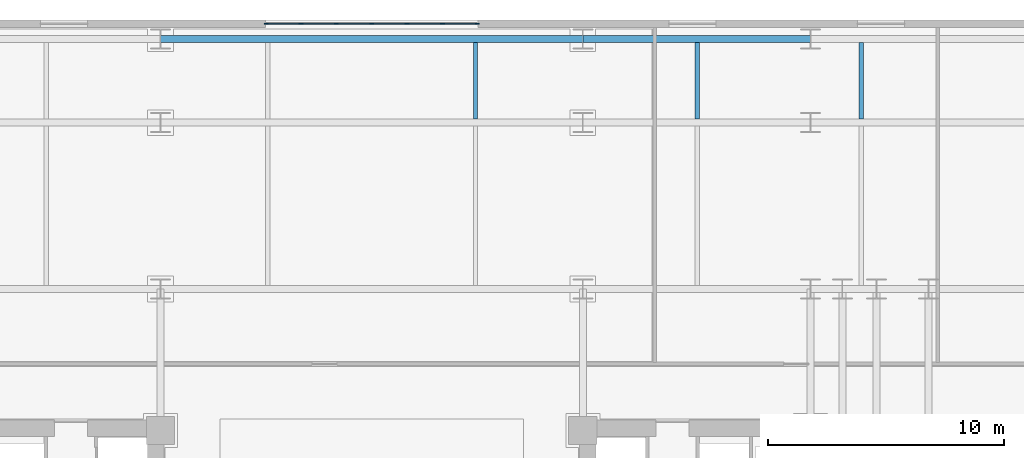
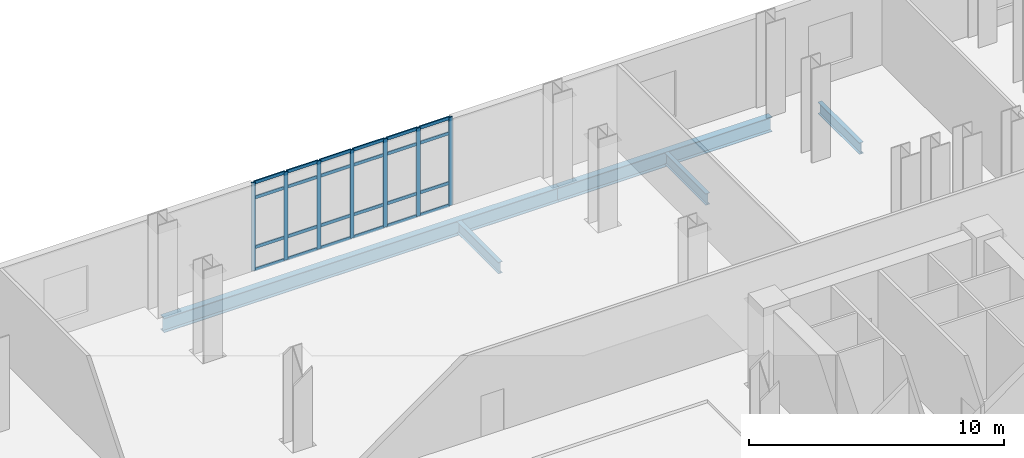
# One storey, part 5 of 15: 31 members, 5 beams, 1 element without a shape of its own.
"""IFC4 building model written with IfcOpenShell, lengths in metres."""

from ifc_helpers import new_model, si_unit, direction, frame, origin, origin_2d, place, context, subcontext, project, spatial, rectangle, i_section, extrude, material, layer, layer_set, material_profile, profile_set, type_object, element, aggregate, save


model = new_model("IFC4")

# Units and contexts
model_context = context("Model", 3, precision=1e-05, world=origin(), true_north=direction((0.0, 1.0)))
body_context = subcontext(model_context, "Body", "Model", "MODEL_VIEW")
ifc_project = project(units=[si_unit("LENGTHUNIT", "METRE"), si_unit("AREAUNIT", "SQUARE_METRE"), si_unit("VOLUMEUNIT", "CUBIC_METRE"), si_unit("PLANEANGLEUNIT", "RADIAN"), si_unit("MASSUNIT", "GRAM", prefix="KILO")], contexts=[model_context])

# Site, building, storey
site_placement = place(None, origin())
site = spatial("IfcSite", under=ifc_project, at=site_placement, CompositionType="ELEMENT")
building_placement = place(site_placement, origin())
building = spatial("IfcBuilding", under=site, at=building_placement, Name="Velakula Bourse", CompositionType="ELEMENT")
storey_placement = place(building_placement, frame((0.0, 0.0, 14.10009765625)))
storey = spatial("IfcBuildingStorey", under=building, at=storey_placement, Name="L03", CompositionType="ELEMENT", Elevation=14.10009765625)

# Beams
ifc_material_1 = material(Name="Steel IS 2062 Grade 350 (E350)", Category="steel")
ifc_material_profile_1 = material_profile(ifc_material_1, i_section(OverallWidth=0.300048828125, OverallDepth=0.699951171875, WebThickness=0.01611328125, FlangeThickness=0.02490234375, at=origin_2d()), Name="Steel IS 2062 Grade 350 (E350)")
ifc_profile_set_1 = profile_set([ifc_material_profile_1], Name="Steel IS 2062 Grade 350 (E350)")
beam_type_1 = type_object("IfcBeamType", Name="BM-POD-700", PredefinedType="BEAM", material=ifc_profile_set_1)
beam_1_placement = place(storey_placement, frame((-8.949951171875, 25.199951171875, -0.60009765625), z_axis=(1.0, 0.0, 0.0), x_axis=(0.0, 1.0, 0.0)))
element("IfcBeam", 1, at=beam_1_placement, inside=storey, type_object=beam_type_1, Name="L03 Podium E-W Girder 60", PredefinedType="BEAM", context=body_context, shape_type="SweptSolid", body=[
    extrude(i_section(OverallWidth=0.300048828125, OverallDepth=0.699951171875, WebThickness=0.01611328125, FlangeThickness=0.02490234375, at=origin_2d()), origin(), (0.0, 0.0, 1.0), 17.89990234375),
])
beam_2_placement = place(storey_placement, frame((8.949951171875, 25.199951171875, -0.60009765625), z_axis=(1.0, 0.0, 0.0), x_axis=(0.0, 1.0, 0.0)))
element("IfcBeam", 2, at=beam_2_placement, inside=storey, type_object=beam_type_1, Name="L03 Podium E-W Girder 61", PredefinedType="BEAM", context=body_context, shape_type="SweptSolid", body=[
    extrude(i_section(OverallWidth=0.300048828125, OverallDepth=0.699951171875, WebThickness=0.01611328125, FlangeThickness=0.02490234375, at=origin_2d()), origin(), (0.0, 0.0, 1.0), 9.650146484375),
])
ifc_material_profile_2 = material_profile(ifc_material_1, i_section(OverallWidth=0.18994140625, OverallDepth=0.550048828125, WebThickness=0.01123046875, FlangeThickness=0.019287109375, at=origin_2d()), Name="Steel IS 2062 Grade 350 (E350)")
ifc_profile_set_2 = profile_set([ifc_material_profile_2], Name="Steel IS 2062 Grade 350 (E350)")
beam_type_2 = type_object("IfcBeamType", Name="JST-POD-550", PredefinedType="JOIST", material=ifc_profile_set_2)
for number, where, z_axis, x_axis, name in (
    (3, (4.39990234375, 21.800048828125, -0.525146484375), (0.0, 1.0, 0.0), (-1.0, 0.0, 0.0), "L03 Station Podium Floor Joist 20"),
    (4, (13.800048828125, 21.800048828125, -0.525146484375), (0.0, 1.0, 0.0), (-1.0, 0.0, 0.0), "L03 Station Podium Floor Joist 24"),
    (5, (20.75, 21.800048828125, -0.525146484375), (0.0, 1.0, 0.0), (-1.0, 0.0, 0.0), "L03 Station Podium Floor Joist 28"),
):
    element("IfcBeam", number, at=place(storey_placement, frame(where, z_axis=z_axis, x_axis=x_axis)), inside=storey, type_object=beam_type_2, Name=name, PredefinedType="JOIST", context=body_context, shape_type="SweptSolid", body=[
        extrude(i_section(OverallWidth=0.18994140625, OverallDepth=0.550048828125, WebThickness=0.01123046875, FlangeThickness=0.019287109375, at=origin_2d()), origin(), (0.0, 0.0, 1.0), 3.25),
    ])

# Curtain wall, members
ifc_material_2 = material(Name="Anodised bronze architectural aluminium", Category="aluminium")
ifc_layer = layer(ifc_material_2, 0.179931640625, Name="Anodised bronze architectural aluminium", Category="aluminium")
ifc_layer_set = layer_set([ifc_layer], Name="Anodised bronze architectural aluminium")
curtain_wall_type = type_object("IfcCurtainWallType", Name="CW-PD1", PredefinedType="NOTDEFINED", material=ifc_layer_set)
curtain_wall_placement = place(storey_placement, origin())
curtain_wall = element("IfcCurtainWall", 6, at=curtain_wall_placement, inside=storey, type_object=curtain_wall_type, Name="L03 North Station Galleria Curtain Wall 2", PredefinedType="NOTDEFINED")
ifc_material_profile_3 = material_profile(ifc_material_2, rectangle(XDim=0.06005859375, YDim=0.179931640625, at=origin_2d()), Name="Anodised bronze architectural aluminium")
ifc_profile_set_3 = profile_set([ifc_material_profile_3], Name="Anodised bronze architectural aluminium")
member_type_1 = type_object("IfcMemberType", Name="MUL-CW-PD1", PredefinedType="MULLION", material=ifc_profile_set_3)
member_1_placement = place(storey_placement, frame((-4.469970703125, 25.840087890625, 0.0), z_axis=(0.0, 0.0, 1.0), x_axis=(0.0, 1.0, 0.0)))
member_1 = element("IfcMember", 7, at=member_1_placement, type_object=member_type_1, Name="CW-PD1 mullion 1", PredefinedType="MULLION", context=body_context, shape_type="SweptSolid", body=[
    extrude(rectangle(XDim=0.06005859375, YDim=0.179931640625, at=origin_2d()), origin(), (0.0, 0.0, 1.0), 4.22998046875),
])
member_2_placement = place(storey_placement, frame((-3.0, 25.840087890625, 0.0), z_axis=(0.0, 0.0, 1.0), x_axis=(0.0, 1.0, 0.0)))
member_2 = element("IfcMember", 8, at=member_2_placement, type_object=member_type_1, Name="CW-PD1 mullion 2", PredefinedType="MULLION", context=body_context, shape_type="SweptSolid", body=[
    extrude(rectangle(XDim=0.06005859375, YDim=0.179931640625, at=origin_2d()), origin(), (0.0, 0.0, 1.0), 4.22998046875),
])
member_3_placement = place(storey_placement, frame((-1.5, 25.840087890625, 0.0), z_axis=(0.0, 0.0, 1.0), x_axis=(0.0, 1.0, 0.0)))
member_3 = element("IfcMember", 9, at=member_3_placement, type_object=member_type_1, Name="CW-PD1 mullion 3", PredefinedType="MULLION", context=body_context, shape_type="SweptSolid", body=[
    extrude(rectangle(XDim=0.06005859375, YDim=0.179931640625, at=origin_2d()), origin(), (0.0, 0.0, 1.0), 4.22998046875),
])
member_4_placement = place(storey_placement, frame((0.0, 25.840087890625, 0.0), z_axis=(0.0, 0.0, 1.0), x_axis=(0.0, 1.0, 0.0)))
member_4 = element("IfcMember", 10, at=member_4_placement, type_object=member_type_1, Name="CW-PD1 mullion 4", PredefinedType="MULLION", context=body_context, shape_type="SweptSolid", body=[
    extrude(rectangle(XDim=0.06005859375, YDim=0.179931640625, at=origin_2d()), origin(), (0.0, 0.0, 1.0), 4.22998046875),
])
member_5_placement = place(storey_placement, frame((1.5, 25.840087890625, 0.0), z_axis=(0.0, 0.0, 1.0), x_axis=(0.0, 1.0, 0.0)))
member_5 = element("IfcMember", 11, at=member_5_placement, type_object=member_type_1, Name="CW-PD1 mullion 5", PredefinedType="MULLION", context=body_context, shape_type="SweptSolid", body=[
    extrude(rectangle(XDim=0.06005859375, YDim=0.179931640625, at=origin_2d()), origin(), (0.0, 0.0, 1.0), 4.22998046875),
])
member_6_placement = place(storey_placement, frame((3.0, 25.840087890625, 0.0), z_axis=(0.0, 0.0, 1.0), x_axis=(0.0, 1.0, 0.0)))
member_6 = element("IfcMember", 12, at=member_6_placement, type_object=member_type_1, Name="CW-PD1 mullion 6", PredefinedType="MULLION", context=body_context, shape_type="SweptSolid", body=[
    extrude(rectangle(XDim=0.06005859375, YDim=0.179931640625, at=origin_2d()), origin(), (0.0, 0.0, 1.0), 4.22998046875),
])
member_7_placement = place(storey_placement, frame((4.469970703125, 25.840087890625, 0.0), z_axis=(0.0, 0.0, 1.0), x_axis=(0.0, 1.0, 0.0)))
member_7 = element("IfcMember", 13, at=member_7_placement, type_object=member_type_1, Name="CW-PD1 mullion 7", PredefinedType="MULLION", context=body_context, shape_type="SweptSolid", body=[
    extrude(rectangle(XDim=0.06005859375, YDim=0.179931640625, at=origin_2d()), origin(), (0.0, 0.0, 1.0), 4.22998046875),
])
ifc_material_profile_4 = material_profile(ifc_material_2, rectangle(XDim=0.06005859375, YDim=0.14990234375, at=origin_2d()), Name="Anodised bronze architectural aluminium")
ifc_profile_set_4 = profile_set([ifc_material_profile_4], Name="Anodised bronze architectural aluminium")
member_type_2 = type_object("IfcMemberType", Name="TRN-CW-PD1", PredefinedType="USERDEFINED", material=ifc_profile_set_4)
member_8_placement = place(storey_placement, frame((-4.43994140625, 25.840087890625, 0.02978515625), z_axis=(1.0, 0.0, 0.0), x_axis=(0.0, 1.0, 0.0)))
member_8 = element("IfcMember", 14, at=member_8_placement, type_object=member_type_2, Name="CW-PD1 transom 1.1", ObjectType="TRANSOM", PredefinedType="USERDEFINED", context=body_context, shape_type="SweptSolid", body=[
    extrude(rectangle(XDim=0.06005859375, YDim=0.14990234375, at=origin_2d()), origin(), (0.0, 0.0, 1.0), 1.409912109375),
])
member_9_placement = place(storey_placement, frame((-4.43994140625, 25.840087890625, 1.099853515625), z_axis=(1.0, 0.0, 0.0), x_axis=(0.0, 1.0, 0.0)))
member_9 = element("IfcMember", 15, at=member_9_placement, type_object=member_type_2, Name="CW-PD1 transom 1.2", ObjectType="TRANSOM", PredefinedType="USERDEFINED", context=body_context, shape_type="SweptSolid", body=[
    extrude(rectangle(XDim=0.06005859375, YDim=0.14990234375, at=origin_2d()), origin(), (0.0, 0.0, 1.0), 1.409912109375),
])
member_10_placement = place(storey_placement, frame((-4.43994140625, 25.840087890625, 3.47998046875), z_axis=(1.0, 0.0, 0.0), x_axis=(0.0, 1.0, 0.0)))
member_10 = element("IfcMember", 16, at=member_10_placement, type_object=member_type_2, Name="CW-PD1 transom 1.3", ObjectType="TRANSOM", PredefinedType="USERDEFINED", context=body_context, shape_type="SweptSolid", body=[
    extrude(rectangle(XDim=0.06005859375, YDim=0.14990234375, at=origin_2d()), origin(), (0.0, 0.0, 1.0), 1.409912109375),
])
member_11_placement = place(storey_placement, frame((-4.43994140625, 25.840087890625, 4.199951171875), z_axis=(1.0, 0.0, 0.0), x_axis=(0.0, 1.0, 0.0)))
member_11 = element("IfcMember", 17, at=member_11_placement, type_object=member_type_2, Name="CW-PD1 transom 1.4", ObjectType="TRANSOM", PredefinedType="USERDEFINED", context=body_context, shape_type="SweptSolid", body=[
    extrude(rectangle(XDim=0.06005859375, YDim=0.14990234375, at=origin_2d()), origin(), (0.0, 0.0, 1.0), 1.409912109375),
])
member_12_placement = place(storey_placement, frame((-2.969970703125, 25.840087890625, 0.02978515625), z_axis=(1.0, 0.0, 0.0), x_axis=(0.0, 1.0, 0.0)))
member_12 = element("IfcMember", 18, at=member_12_placement, type_object=member_type_2, Name="CW-PD1 transom 2.1", ObjectType="TRANSOM", PredefinedType="USERDEFINED", context=body_context, shape_type="SweptSolid", body=[
    extrude(rectangle(XDim=0.06005859375, YDim=0.14990234375, at=origin_2d()), origin(), (0.0, 0.0, 1.0), 1.43994140625),
])
member_13_placement = place(storey_placement, frame((-2.969970703125, 25.840087890625, 1.099853515625), z_axis=(1.0, 0.0, 0.0), x_axis=(0.0, 1.0, 0.0)))
member_13 = element("IfcMember", 19, at=member_13_placement, type_object=member_type_2, Name="CW-PD1 transom 2.2", ObjectType="TRANSOM", PredefinedType="USERDEFINED", context=body_context, shape_type="SweptSolid", body=[
    extrude(rectangle(XDim=0.06005859375, YDim=0.14990234375, at=origin_2d()), origin(), (0.0, 0.0, 1.0), 1.43994140625),
])
member_14_placement = place(storey_placement, frame((-2.969970703125, 25.840087890625, 3.47998046875), z_axis=(1.0, 0.0, 0.0), x_axis=(0.0, 1.0, 0.0)))
member_14 = element("IfcMember", 20, at=member_14_placement, type_object=member_type_2, Name="CW-PD1 transom 2.3", ObjectType="TRANSOM", PredefinedType="USERDEFINED", context=body_context, shape_type="SweptSolid", body=[
    extrude(rectangle(XDim=0.06005859375, YDim=0.14990234375, at=origin_2d()), origin(), (0.0, 0.0, 1.0), 1.43994140625),
])
member_15_placement = place(storey_placement, frame((-2.969970703125, 25.840087890625, 4.199951171875), z_axis=(1.0, 0.0, 0.0), x_axis=(0.0, 1.0, 0.0)))
member_15 = element("IfcMember", 21, at=member_15_placement, type_object=member_type_2, Name="CW-PD1 transom 2.4", ObjectType="TRANSOM", PredefinedType="USERDEFINED", context=body_context, shape_type="SweptSolid", body=[
    extrude(rectangle(XDim=0.06005859375, YDim=0.14990234375, at=origin_2d()), origin(), (0.0, 0.0, 1.0), 1.43994140625),
])
member_16_placement = place(storey_placement, frame((-1.469970703125, 25.840087890625, 0.02978515625), z_axis=(1.0, 0.0, 0.0), x_axis=(0.0, 1.0, 0.0)))
member_16 = element("IfcMember", 22, at=member_16_placement, type_object=member_type_2, Name="CW-PD1 transom 3.1", ObjectType="TRANSOM", PredefinedType="USERDEFINED", context=body_context, shape_type="SweptSolid", body=[
    extrude(rectangle(XDim=0.06005859375, YDim=0.14990234375, at=origin_2d()), origin(), (0.0, 0.0, 1.0), 1.43994140625),
])
member_17_placement = place(storey_placement, frame((-1.469970703125, 25.840087890625, 1.099853515625), z_axis=(1.0, 0.0, 0.0), x_axis=(0.0, 1.0, 0.0)))
member_17 = element("IfcMember", 23, at=member_17_placement, type_object=member_type_2, Name="CW-PD1 transom 3.2", ObjectType="TRANSOM", PredefinedType="USERDEFINED", context=body_context, shape_type="SweptSolid", body=[
    extrude(rectangle(XDim=0.06005859375, YDim=0.14990234375, at=origin_2d()), origin(), (0.0, 0.0, 1.0), 1.43994140625),
])
member_18_placement = place(storey_placement, frame((-1.469970703125, 25.840087890625, 3.47998046875), z_axis=(1.0, 0.0, 0.0), x_axis=(0.0, 1.0, 0.0)))
member_18 = element("IfcMember", 24, at=member_18_placement, type_object=member_type_2, Name="CW-PD1 transom 3.3", ObjectType="TRANSOM", PredefinedType="USERDEFINED", context=body_context, shape_type="SweptSolid", body=[
    extrude(rectangle(XDim=0.06005859375, YDim=0.14990234375, at=origin_2d()), origin(), (0.0, 0.0, 1.0), 1.43994140625),
])
member_19_placement = place(storey_placement, frame((-1.469970703125, 25.840087890625, 4.199951171875), z_axis=(1.0, 0.0, 0.0), x_axis=(0.0, 1.0, 0.0)))
member_19 = element("IfcMember", 25, at=member_19_placement, type_object=member_type_2, Name="CW-PD1 transom 3.4", ObjectType="TRANSOM", PredefinedType="USERDEFINED", context=body_context, shape_type="SweptSolid", body=[
    extrude(rectangle(XDim=0.06005859375, YDim=0.14990234375, at=origin_2d()), origin(), (0.0, 0.0, 1.0), 1.43994140625),
])
member_20_placement = place(storey_placement, frame((0.030029296875, 25.840087890625, 0.02978515625), z_axis=(1.0, 0.0, 0.0), x_axis=(0.0, 1.0, 0.0)))
member_20 = element("IfcMember", 26, at=member_20_placement, type_object=member_type_2, Name="CW-PD1 transom 4.1", ObjectType="TRANSOM", PredefinedType="USERDEFINED", context=body_context, shape_type="SweptSolid", body=[
    extrude(rectangle(XDim=0.06005859375, YDim=0.14990234375, at=origin_2d()), origin(), (0.0, 0.0, 1.0), 1.43994140625),
])
member_21_placement = place(storey_placement, frame((0.030029296875, 25.840087890625, 1.099853515625), z_axis=(1.0, 0.0, 0.0), x_axis=(0.0, 1.0, 0.0)))
member_21 = element("IfcMember", 27, at=member_21_placement, type_object=member_type_2, Name="CW-PD1 transom 4.2", ObjectType="TRANSOM", PredefinedType="USERDEFINED", context=body_context, shape_type="SweptSolid", body=[
    extrude(rectangle(XDim=0.06005859375, YDim=0.14990234375, at=origin_2d()), origin(), (0.0, 0.0, 1.0), 1.43994140625),
])
member_22_placement = place(storey_placement, frame((0.030029296875, 25.840087890625, 3.47998046875), z_axis=(1.0, 0.0, 0.0), x_axis=(0.0, 1.0, 0.0)))
member_22 = element("IfcMember", 28, at=member_22_placement, type_object=member_type_2, Name="CW-PD1 transom 4.3", ObjectType="TRANSOM", PredefinedType="USERDEFINED", context=body_context, shape_type="SweptSolid", body=[
    extrude(rectangle(XDim=0.06005859375, YDim=0.14990234375, at=origin_2d()), origin(), (0.0, 0.0, 1.0), 1.43994140625),
])
member_23_placement = place(storey_placement, frame((0.030029296875, 25.840087890625, 4.199951171875), z_axis=(1.0, 0.0, 0.0), x_axis=(0.0, 1.0, 0.0)))
member_23 = element("IfcMember", 29, at=member_23_placement, type_object=member_type_2, Name="CW-PD1 transom 4.4", ObjectType="TRANSOM", PredefinedType="USERDEFINED", context=body_context, shape_type="SweptSolid", body=[
    extrude(rectangle(XDim=0.06005859375, YDim=0.14990234375, at=origin_2d()), origin(), (0.0, 0.0, 1.0), 1.43994140625),
])
member_24_placement = place(storey_placement, frame((1.530029296875, 25.840087890625, 0.02978515625), z_axis=(1.0, 0.0, 0.0), x_axis=(0.0, 1.0, 0.0)))
member_24 = element("IfcMember", 30, at=member_24_placement, type_object=member_type_2, Name="CW-PD1 transom 5.1", ObjectType="TRANSOM", PredefinedType="USERDEFINED", context=body_context, shape_type="SweptSolid", body=[
    extrude(rectangle(XDim=0.06005859375, YDim=0.14990234375, at=origin_2d()), origin(), (0.0, 0.0, 1.0), 1.43994140625),
])
member_25_placement = place(storey_placement, frame((1.530029296875, 25.840087890625, 1.099853515625), z_axis=(1.0, 0.0, 0.0), x_axis=(0.0, 1.0, 0.0)))
member_25 = element("IfcMember", 31, at=member_25_placement, type_object=member_type_2, Name="CW-PD1 transom 5.2", ObjectType="TRANSOM", PredefinedType="USERDEFINED", context=body_context, shape_type="SweptSolid", body=[
    extrude(rectangle(XDim=0.06005859375, YDim=0.14990234375, at=origin_2d()), origin(), (0.0, 0.0, 1.0), 1.43994140625),
])
member_26_placement = place(storey_placement, frame((1.530029296875, 25.840087890625, 3.47998046875), z_axis=(1.0, 0.0, 0.0), x_axis=(0.0, 1.0, 0.0)))
member_26 = element("IfcMember", 32, at=member_26_placement, type_object=member_type_2, Name="CW-PD1 transom 5.3", ObjectType="TRANSOM", PredefinedType="USERDEFINED", context=body_context, shape_type="SweptSolid", body=[
    extrude(rectangle(XDim=0.06005859375, YDim=0.14990234375, at=origin_2d()), origin(), (0.0, 0.0, 1.0), 1.43994140625),
])
member_27_placement = place(storey_placement, frame((1.530029296875, 25.840087890625, 4.199951171875), z_axis=(1.0, 0.0, 0.0), x_axis=(0.0, 1.0, 0.0)))
member_27 = element("IfcMember", 33, at=member_27_placement, type_object=member_type_2, Name="CW-PD1 transom 5.4", ObjectType="TRANSOM", PredefinedType="USERDEFINED", context=body_context, shape_type="SweptSolid", body=[
    extrude(rectangle(XDim=0.06005859375, YDim=0.14990234375, at=origin_2d()), origin(), (0.0, 0.0, 1.0), 1.43994140625),
])
member_28_placement = place(storey_placement, frame((3.030029296875, 25.840087890625, 0.02978515625), z_axis=(1.0, 0.0, 0.0), x_axis=(0.0, 1.0, 0.0)))
member_28 = element("IfcMember", 34, at=member_28_placement, type_object=member_type_2, Name="CW-PD1 transom 6.1", ObjectType="TRANSOM", PredefinedType="USERDEFINED", context=body_context, shape_type="SweptSolid", body=[
    extrude(rectangle(XDim=0.06005859375, YDim=0.14990234375, at=origin_2d()), origin(), (0.0, 0.0, 1.0), 1.409912109375),
])
member_29_placement = place(storey_placement, frame((3.030029296875, 25.840087890625, 1.099853515625), z_axis=(1.0, 0.0, 0.0), x_axis=(0.0, 1.0, 0.0)))
member_29 = element("IfcMember", 35, at=member_29_placement, type_object=member_type_2, Name="CW-PD1 transom 6.2", ObjectType="TRANSOM", PredefinedType="USERDEFINED", context=body_context, shape_type="SweptSolid", body=[
    extrude(rectangle(XDim=0.06005859375, YDim=0.14990234375, at=origin_2d()), origin(), (0.0, 0.0, 1.0), 1.409912109375),
])
member_30_placement = place(storey_placement, frame((3.030029296875, 25.840087890625, 3.47998046875), z_axis=(1.0, 0.0, 0.0), x_axis=(0.0, 1.0, 0.0)))
member_30 = element("IfcMember", 36, at=member_30_placement, type_object=member_type_2, Name="CW-PD1 transom 6.3", ObjectType="TRANSOM", PredefinedType="USERDEFINED", context=body_context, shape_type="SweptSolid", body=[
    extrude(rectangle(XDim=0.06005859375, YDim=0.14990234375, at=origin_2d()), origin(), (0.0, 0.0, 1.0), 1.409912109375),
])
member_31_placement = place(storey_placement, frame((3.030029296875, 25.840087890625, 4.199951171875), z_axis=(1.0, 0.0, 0.0), x_axis=(0.0, 1.0, 0.0)))
member_31 = element("IfcMember", 37, at=member_31_placement, type_object=member_type_2, Name="CW-PD1 transom 6.4", ObjectType="TRANSOM", PredefinedType="USERDEFINED", context=body_context, shape_type="SweptSolid", body=[
    extrude(rectangle(XDim=0.06005859375, YDim=0.14990234375, at=origin_2d()), origin(), (0.0, 0.0, 1.0), 1.409912109375),
])
aggregate(curtain_wall, [member_1, member_2, member_3, member_4, member_5, member_6, member_7, member_8, member_9, member_10, member_11, member_12, member_13, member_14, member_15, member_16, member_17, member_18, member_19, member_20, member_21, member_22, member_23, member_24, member_25, member_26, member_27, member_28, member_29, member_30, member_31])

save(model, "model.ifc")
